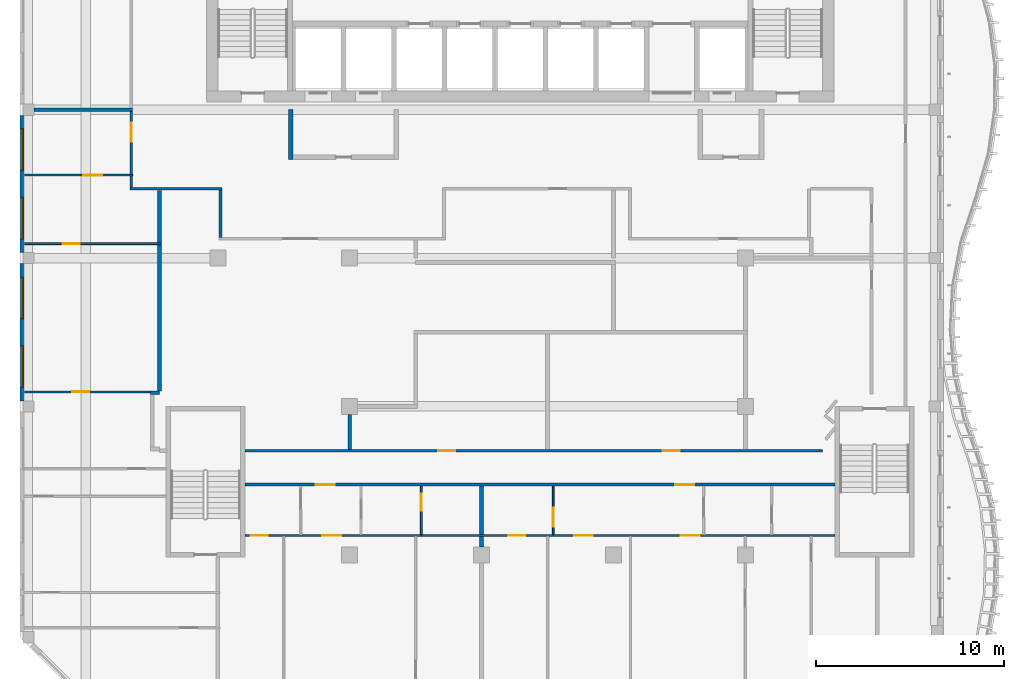
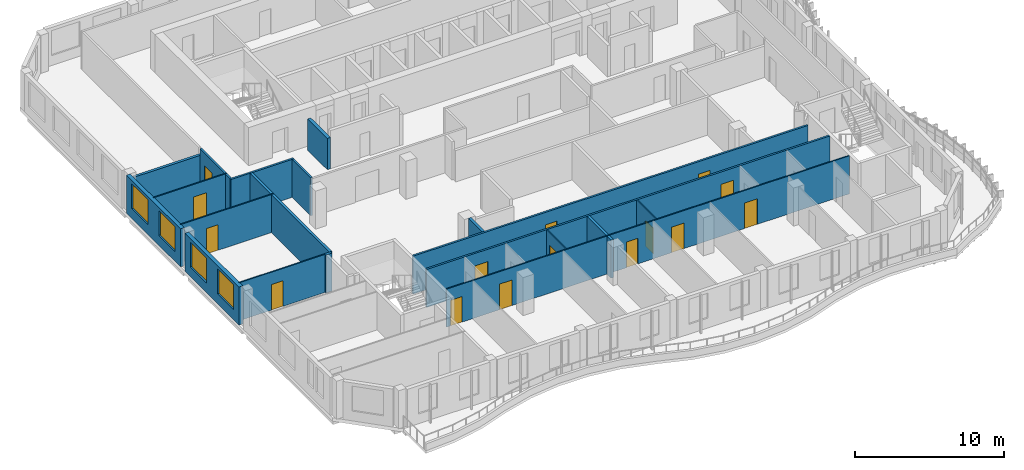
# One storey, part 3 of 17: 22 walls, 15 doors, 4 windows, 19 openings.
"""IFC4 building model written with IfcOpenShell, lengths in metres."""

from ifc_helpers import new_model, si_unit, direction, frame, frame_2d, origin, place, context, subcontext, project, spatial, rectangle, extrude, source, transform, mapped, material, layer, layer_set, type_object, element, fill, save


model = new_model("IFC4")

# Units and contexts
model_context = context("Model", 3, precision=1e-05, world=origin(), true_north=direction((0.0, 1.0)))
body_context = subcontext(model_context, "Body", "Model", "MODEL_VIEW")
ifc_project = project(units=[si_unit("LENGTHUNIT", "METRE"), si_unit("AREAUNIT", "SQUARE_METRE"), si_unit("VOLUMEUNIT", "CUBIC_METRE"), si_unit("PLANEANGLEUNIT", "RADIAN"), si_unit("MASSUNIT", "GRAM", prefix="KILO")], contexts=[model_context])

# Site, building, storey
site_placement = place(None, origin())
site = spatial("IfcSite", under=ifc_project, at=site_placement, CompositionType="ELEMENT")
building_placement = place(site_placement, origin())
building = spatial("IfcBuilding", under=site, at=building_placement, Name="Kilnfold Tower and Market Hall", CompositionType="ELEMENT")
storey_placement = place(building_placement, frame((0.0, 0.0, 301.800048828125)))
storey = spatial("IfcBuildingStorey", under=building, at=storey_placement, Name="L75", CompositionType="ELEMENT", Elevation=301.800048828125)

# Walls
ifc_material_1 = material(Name="Gypsum board on steel studs", Category="steel")
ifc_layer_1 = layer(ifc_material_1, 0.14990234375)
ifc_layer_set_1 = layer_set([ifc_layer_1], Name="Gypsum board on steel studs")
wall_type_1 = type_object("IfcWallType", Name="WALL CORRIDOR 150", PredefinedType="PARTITIONING", material=ifc_layer_set_1)
wall_1_placement = place(storey_placement, frame((-19.675048828125, 3.800048828125, 0.0), z_axis=(0.0, 0.0, 1.0), x_axis=(1.0, 0.0, 0.0)))
element("IfcWall", 1, at=wall_1_placement, inside=storey, type_object=wall_type_1, Name="Partition LY45.1", PredefinedType="PARTITIONING", context=body_context, shape_type="SweptSolid", body=[
    extrude(rectangle(XDim=4.89013671875, YDim=0.14990234375, at=frame_2d((2.445068359375, 0.0))), origin(), (0.0, 0.0, 1.0), 3.119873046875),
])
wall_2_placement = place(storey_placement, frame((-19.60009765625, 3.875, 0.0), z_axis=(0.0, 0.0, 1.0), x_axis=(0.0, 1.0, 0.0)))
element("IfcWall", 2, at=wall_2_placement, inside=storey, type_object=wall_type_1, Name="Partition LY45.2", PredefinedType="PARTITIONING", context=body_context, shape_type="SweptSolid", body=[
    extrude(rectangle(XDim=0.615966796875, YDim=0.14990234375, at=frame_2d((0.30810546875, 0.0))), origin(), (0.0, 0.0, 1.0), 3.119873046875),
])

# Wall, opening, door
wall_3_placement = place(storey_placement, frame((-19.60009765625, 4.571044921875, 0.0), z_axis=(0.0, 0.0, 1.0), x_axis=(0.0, 1.0, 0.0)))
wall_3 = element("IfcWall", 3, at=wall_3_placement, inside=storey, type_object=wall_type_1, Name="Partition LY45.3", PredefinedType="PARTITIONING", context=body_context, shape_type="SweptSolid", body=[
    extrude(rectangle(XDim=3.3388671875, YDim=0.14990234375, at=frame_2d((1.66943359375, 0.0))), origin(), (0.0, 0.0, 1.0), 3.119873046875),
])
opening_1_placement = place(wall_3_placement, frame((1.73095703125, 0.0, 0.0)))
opening_1 = element("IfcOpeningElement", 4, at=opening_1_placement, cuts=wall_3, Name="Opening D1", PredefinedType="OPENING", context=body_context, shape_type="SweptSolid", body=[
    extrude(rectangle(XDim=1.0, YDim=2.10009765625, at=frame_2d((0.5, 1.050048828125))), frame((0.0, 0.0849609375, 0.0), z_axis=(0.0, -1.0, 0.0), x_axis=(1.0, 0.0, 0.0)), (0.0, 0.0, 1.0), 0.169921875),
])
ifc_material_2 = material(Name="Timber veneer door leaf in steel frame", Category="steel")
door_type_1 = type_object("IfcDoorType", Name="DOOR ENTRY 1000 X2100", OperationType="NOTDEFINED", PredefinedType="DOOR", material=ifc_material_2)
door_1_placement = place(opening_1_placement, origin())
door_1 = element("IfcDoor", 5, at=door_1_placement, inside=storey, type_object=door_type_1, Name="Door D1", OperationType="SINGLE_SWING_LEFT", OverallHeight=2.10009765625, OverallWidth=1.0, PredefinedType="DOOR", context=body_context, shape_type="SweptSolid", body=[
    extrude(rectangle(XDim=1.0, YDim=2.10009765625, at=frame_2d((0.5, 1.050048828125))), frame((0.0, 0.02490234375, 0.0), z_axis=(0.0, -1.0, 0.0), x_axis=(1.0, 0.0, 0.0)), (0.0, 0.0, 1.0), 0.050048828125),
])
fill(opening_1, door_1)

# Wall, openings, doors
wall_4_placement = place(storey_placement, frame((-13.550048828125, -11.89990234375, 0.0), z_axis=(0.0, 0.0, 1.0), x_axis=(1.0, 0.0, 0.0)))
wall_4 = element("IfcWall", 6, at=wall_4_placement, inside=storey, type_object=wall_type_1, Name="Partition LY45.4", PredefinedType="PARTITIONING", context=body_context, shape_type="SweptSolid", body=[
    extrude(rectangle(XDim=31.300048828125, YDim=0.14990234375, at=frame_2d((15.64990234375, 0.0))), origin(), (0.0, 0.0, 1.0), 3.119873046875),
])
opening_2_placement = place(wall_4_placement, frame((3.7470703125, 0.0, 0.0)))
opening_2 = element("IfcOpeningElement", 7, at=opening_2_placement, cuts=wall_4, Name="Opening D1", PredefinedType="OPENING", context=body_context, shape_type="SweptSolid", body=[
    extrude(rectangle(XDim=1.0, YDim=2.10009765625, at=frame_2d((0.5, 1.050048828125))), frame((0.0, 0.0849609375, 0.0), z_axis=(0.0, -1.0, 0.0), x_axis=(1.0, 0.0, 0.0)), (0.0, 0.0, 1.0), 0.169921875),
])
opening_3_placement = place(wall_4_placement, frame((22.8349609375, 0.0, 0.0)))
opening_3 = element("IfcOpeningElement", 8, at=opening_3_placement, cuts=wall_4, Name="Opening D1", PredefinedType="OPENING", context=body_context, shape_type="SweptSolid", body=[
    extrude(rectangle(XDim=1.0, YDim=2.10009765625, at=frame_2d((0.5, 1.050048828125))), frame((0.0, 0.0849609375, 0.0), z_axis=(0.0, -1.0, 0.0), x_axis=(1.0, 0.0, 0.0)), (0.0, 0.0, 1.0), 0.169921875),
])
door_2_placement = place(opening_2_placement, origin())
door_2 = element("IfcDoor", 9, at=door_2_placement, inside=storey, type_object=door_type_1, Name="Door D1", OperationType="SINGLE_SWING_LEFT", OverallHeight=2.10009765625, OverallWidth=1.0, PredefinedType="DOOR", context=body_context, shape_type="SweptSolid", body=[
    extrude(rectangle(XDim=1.0, YDim=2.10009765625, at=frame_2d((0.5, 1.050048828125))), frame((0.0, 0.02490234375, 0.0), z_axis=(0.0, -1.0, 0.0), x_axis=(1.0, 0.0, 0.0)), (0.0, 0.0, 1.0), 0.050048828125),
])
fill(opening_2, door_2)
door_3_placement = place(opening_3_placement, origin())
door_3 = element("IfcDoor", 10, at=door_3_placement, inside=storey, type_object=door_type_1, Name="Door D1", OperationType="SINGLE_SWING_LEFT", OverallHeight=2.10009765625, OverallWidth=1.0, PredefinedType="DOOR", context=body_context, shape_type="SweptSolid", body=[
    extrude(rectangle(XDim=1.0, YDim=2.10009765625, at=frame_2d((0.5, 1.050048828125))), frame((0.0, 0.02490234375, 0.0), z_axis=(0.0, -1.0, 0.0), x_axis=(1.0, 0.0, 0.0)), (0.0, 0.0, 1.0), 0.050048828125),
])
fill(opening_3, door_3)

# Wall
wall_5_placement = place(storey_placement, frame((-14.860107421875, 3.72509765625, 0.0), z_axis=(0.0, 0.0, 1.0), x_axis=(0.0, -1.0, 0.0)))
element("IfcWall", 11, at=wall_5_placement, inside=storey, type_object=wall_type_1, Name="Partition LY45.10", PredefinedType="PARTITIONING", context=body_context, shape_type="SweptSolid", body=[
    extrude(rectangle(XDim=2.5, YDim=0.14990234375, at=frame_2d((1.25, 0.0))), origin(), (0.0, 0.0, 1.0), 3.119873046875),
])

# Wall, openings, doors
wall_6_placement = place(storey_placement, frame((-13.550048828125, -10.10009765625, 0.0), z_axis=(0.0, 0.0, 1.0), x_axis=(1.0, 0.0, 0.0)))
wall_6 = element("IfcWall", 12, at=wall_6_placement, inside=storey, type_object=wall_type_1, Name="Partition LY45.11", PredefinedType="PARTITIONING", context=body_context, shape_type="SweptSolid", body=[
    extrude(rectangle(XDim=30.650146484375, YDim=0.14990234375, at=frame_2d((15.3251953125, 0.0))), origin(), (0.0, 0.0, 1.0), 3.119873046875),
])
opening_4_placement = place(wall_6_placement, frame((10.25, 0.0, 0.0)))
opening_4 = element("IfcOpeningElement", 13, at=opening_4_placement, cuts=wall_6, Name="Opening D2", PredefinedType="OPENING", context=body_context, shape_type="SweptSolid", body=[
    extrude(rectangle(XDim=0.89990234375, YDim=2.10009765625, at=frame_2d((0.449951171875, 1.050048828125))), frame((0.0, 0.0849609375, 0.0), z_axis=(0.0, -1.0, 0.0), x_axis=(1.0, 0.0, 0.0)), (0.0, 0.0, 1.0), 0.169921875),
])
opening_5_placement = place(wall_6_placement, frame((22.153076171875, 0.0, 0.0)))
opening_5 = element("IfcOpeningElement", 14, at=opening_5_placement, cuts=wall_6, Name="Opening D2", PredefinedType="OPENING", context=body_context, shape_type="SweptSolid", body=[
    extrude(rectangle(XDim=0.89990234375, YDim=2.10009765625, at=frame_2d((0.449951171875, 1.050048828125))), frame((0.0, 0.0849609375, 0.0), z_axis=(0.0, -1.0, 0.0), x_axis=(1.0, 0.0, 0.0)), (0.0, 0.0, 1.0), 0.169921875),
])
ifc_material_3 = material(Name="Timber veneer door leaf in steel frame", Category="steel")
door_type_2 = type_object("IfcDoorType", Name="DOOR ROOM 900 X2100", OperationType="NOTDEFINED", PredefinedType="DOOR", material=ifc_material_3)
door_4_placement = place(opening_4_placement, origin())
door_4 = element("IfcDoor", 15, at=door_4_placement, inside=storey, type_object=door_type_2, Name="Door D2", OperationType="SINGLE_SWING_RIGHT", OverallHeight=2.10009765625, OverallWidth=0.89990234375, PredefinedType="DOOR", context=body_context, shape_type="SweptSolid", body=[
    extrude(rectangle(XDim=0.89990234375, YDim=2.10009765625, at=frame_2d((0.449951171875, 1.050048828125))), frame((0.0, 0.02490234375, 0.0), z_axis=(0.0, -1.0, 0.0), x_axis=(1.0, 0.0, 0.0)), (0.0, 0.0, 1.0), 0.050048828125),
])
fill(opening_4, door_4)
door_5_placement = place(opening_5_placement, origin())
door_5 = element("IfcDoor", 16, at=door_5_placement, inside=storey, type_object=door_type_2, Name="Door D2", OperationType="SINGLE_SWING_RIGHT", OverallHeight=2.10009765625, OverallWidth=0.89990234375, PredefinedType="DOOR", context=body_context, shape_type="SweptSolid", body=[
    extrude(rectangle(XDim=0.89990234375, YDim=2.10009765625, at=frame_2d((0.449951171875, 1.050048828125))), frame((0.0, 0.02490234375, 0.0), z_axis=(0.0, -1.0, 0.0), x_axis=(1.0, 0.0, 0.0)), (0.0, 0.0, 1.0), 0.050048828125),
])
fill(opening_5, door_5)

# Wall, opening, door
ifc_material_4 = material(Name="Gypsum board on steel studs", Category="steel")
ifc_layer_2 = layer(ifc_material_4, 0.10009765625)
ifc_layer_set_2 = layer_set([ifc_layer_2], Name="Gypsum board on steel studs")
wall_type_2 = type_object("IfcWallType", Name="WALL PARTITION 100", PredefinedType="PARTITIONING", material=ifc_layer_set_2)
wall_7_placement = place(storey_placement, frame((-18.58203125, -6.98095703125, 0.0), z_axis=(0.0, 0.0, 1.0), x_axis=(-1.0, 0.0, 0.0)))
wall_7 = element("IfcWall", 17, at=wall_7_placement, inside=storey, type_object=wall_type_2, Name="Partition LY45.30", PredefinedType="PARTITIONING", context=body_context, shape_type="SweptSolid", body=[
    extrude(rectangle(XDim=6.66796875, YDim=0.10009765625, at=frame_2d((3.333984375, 0.0))), origin(), (0.0, 0.0, 1.0), 3.119873046875),
])
opening_6_placement = place(wall_7_placement, frame((3.2490234375, 0.0, 0.0)))
opening_6 = element("IfcOpeningElement", 18, at=opening_6_placement, cuts=wall_7, Name="Opening D2", PredefinedType="OPENING", context=body_context, shape_type="SweptSolid", body=[
    extrude(rectangle(XDim=0.89990234375, YDim=2.10009765625, at=frame_2d((0.449951171875, 1.050048828125))), frame((0.0, 0.06005859375, 0.0), z_axis=(0.0, -1.0, 0.0), x_axis=(1.0, 0.0, 0.0)), (0.0, 0.0, 1.0), 0.1201171875),
])
door_6_placement = place(opening_6_placement, origin())
door_6 = element("IfcDoor", 19, at=door_6_placement, inside=storey, type_object=door_type_2, Name="Door D2", OperationType="SINGLE_SWING_RIGHT", OverallHeight=2.10009765625, OverallWidth=0.89990234375, PredefinedType="DOOR", context=body_context, shape_type="SweptSolid", body=[
    extrude(rectangle(XDim=0.89990234375, YDim=2.10009765625, at=frame_2d((0.449951171875, 1.050048828125))), frame((0.0, 0.02490234375, 0.0), z_axis=(0.0, -1.0, 0.0), x_axis=(1.0, 0.0, 0.0)), (0.0, 0.0, 1.0), 0.050048828125),
])
fill(opening_6, door_6)

wall_8_placement = place(storey_placement, frame((-18.0, 0.89404296875, 0.0), z_axis=(0.0, 0.0, 1.0), x_axis=(-1.0, 0.0, 0.0)))
wall_8 = element("IfcWall", 20, at=wall_8_placement, inside=storey, type_object=wall_type_2, Name="Partition LY45.35", PredefinedType="PARTITIONING", context=body_context, shape_type="SweptSolid", body=[
    extrude(rectangle(XDim=7.25, YDim=0.10009765625, at=frame_2d((3.625, 0.0))), origin(), (0.0, 0.0, 1.0), 3.119873046875),
])
opening_7_placement = place(wall_8_placement, frame((4.3349609375, 0.0, 0.0)))
opening_7 = element("IfcOpeningElement", 21, at=opening_7_placement, cuts=wall_8, Name="Opening D2", PredefinedType="OPENING", context=body_context, shape_type="SweptSolid", body=[
    extrude(rectangle(XDim=0.89990234375, YDim=2.10009765625, at=frame_2d((0.449951171875, 1.050048828125))), frame((0.0, 0.06005859375, 0.0), z_axis=(0.0, -1.0, 0.0), x_axis=(1.0, 0.0, 0.0)), (0.0, 0.0, 1.0), 0.1201171875),
])
door_7_placement = place(opening_7_placement, origin())
door_7 = element("IfcDoor", 22, at=door_7_placement, inside=storey, type_object=door_type_2, Name="Door D2", OperationType="SINGLE_SWING_LEFT", OverallHeight=2.10009765625, OverallWidth=0.89990234375, PredefinedType="DOOR", context=body_context, shape_type="SweptSolid", body=[
    extrude(rectangle(XDim=0.89990234375, YDim=2.10009765625, at=frame_2d((0.449951171875, 1.050048828125))), frame((0.0, 0.02490234375, 0.0), z_axis=(0.0, -1.0, 0.0), x_axis=(1.0, 0.0, 0.0)), (0.0, 0.0, 1.0), 0.050048828125),
])
fill(opening_7, door_7)

wall_9_placement = place(storey_placement, frame((-19.527099609375, 4.531005859375, 0.0), z_axis=(0.0, 0.0, 1.0), x_axis=(-1.0, 0.0, 0.0)))
wall_9 = element("IfcWall", 23, at=wall_9_placement, inside=storey, type_object=wall_type_2, Name="Partition LY45.37", PredefinedType="PARTITIONING", context=body_context, shape_type="SweptSolid", body=[
    extrude(rectangle(XDim=5.722900390625, YDim=0.10009765625, at=frame_2d((2.861328125, 0.0))), origin(), (0.0, 0.0, 1.0), 3.119873046875),
])
opening_8_placement = place(wall_9_placement, frame((1.60693359375, 0.0, 0.0)))
opening_8 = element("IfcOpeningElement", 24, at=opening_8_placement, cuts=wall_9, Name="Opening D1", PredefinedType="OPENING", context=body_context, shape_type="SweptSolid", body=[
    extrude(rectangle(XDim=1.0, YDim=2.10009765625, at=frame_2d((0.5, 1.050048828125))), frame((0.0, 0.06005859375, 0.0), z_axis=(0.0, -1.0, 0.0), x_axis=(1.0, 0.0, 0.0)), (0.0, 0.0, 1.0), 0.1201171875),
])
door_8_placement = place(opening_8_placement, origin())
door_8 = element("IfcDoor", 25, at=door_8_placement, inside=storey, type_object=door_type_1, Name="Door D1", OperationType="SINGLE_SWING_RIGHT", OverallHeight=2.10009765625, OverallWidth=1.0, PredefinedType="DOOR", context=body_context, shape_type="SweptSolid", body=[
    extrude(rectangle(XDim=1.0, YDim=2.10009765625, at=frame_2d((0.5, 1.050048828125))), frame((0.0, 0.02490234375, 0.0), z_axis=(0.0, -1.0, 0.0), x_axis=(1.0, 0.0, 0.0)), (0.0, 0.0, 1.0), 0.050048828125),
])
fill(opening_8, door_8)

# Wall, openings, doors
wall_10_placement = place(storey_placement, frame((-13.550048828125, -14.60009765625, 0.0), z_axis=(0.0, 0.0, 1.0), x_axis=(1.0, 0.0, 0.0)))
wall_10 = element("IfcWall", 26, at=wall_10_placement, inside=storey, type_object=wall_type_2, Name="Partition LY45.41", PredefinedType="PARTITIONING", context=body_context, shape_type="SweptSolid", body=[
    extrude(rectangle(XDim=31.300048828125, YDim=0.10009765625, at=frame_2d((15.64990234375, 0.0))), origin(), (0.0, 0.0, 1.0), 3.119873046875),
])
opening_9_placement = place(wall_10_placement, frame((0.30908203125, 0.0, 0.0)))
opening_9 = element("IfcOpeningElement", 27, at=opening_9_placement, cuts=wall_10, Name="Opening D2", PredefinedType="OPENING", context=body_context, shape_type="SweptSolid", body=[
    extrude(rectangle(XDim=0.89990234375, YDim=2.10009765625, at=frame_2d((0.449951171875, 1.050048828125))), frame((0.0, 0.06005859375, 0.0), z_axis=(0.0, -1.0, 0.0), x_axis=(1.0, 0.0, 0.0)), (0.0, 0.0, 1.0), 0.1201171875),
])
opening_10_placement = place(wall_10_placement, frame((4.10302734375, 0.0, 0.0)))
opening_10 = element("IfcOpeningElement", 28, at=opening_10_placement, cuts=wall_10, Name="Opening D1", PredefinedType="OPENING", context=body_context, shape_type="SweptSolid", body=[
    extrude(rectangle(XDim=1.0, YDim=2.10009765625, at=frame_2d((0.5, 1.050048828125))), frame((0.0, 0.06005859375, 0.0), z_axis=(0.0, -1.0, 0.0), x_axis=(1.0, 0.0, 0.0)), (0.0, 0.0, 1.0), 0.1201171875),
])
opening_11_placement = place(wall_10_placement, frame((13.955078125, 0.0, 0.0)))
opening_11 = element("IfcOpeningElement", 29, at=opening_11_placement, cuts=wall_10, Name="Opening D2", PredefinedType="OPENING", context=body_context, shape_type="SweptSolid", body=[
    extrude(rectangle(XDim=0.89990234375, YDim=2.10009765625, at=frame_2d((0.449951171875, 1.050048828125))), frame((0.0, 0.06005859375, 0.0), z_axis=(0.0, -1.0, 0.0), x_axis=(1.0, 0.0, 0.0)), (0.0, 0.0, 1.0), 0.1201171875),
])
opening_12_placement = place(wall_10_placement, frame((17.452880859375, 0.0, 0.0)))
opening_12 = element("IfcOpeningElement", 30, at=opening_12_placement, cuts=wall_10, Name="Opening D1", PredefinedType="OPENING", context=body_context, shape_type="SweptSolid", body=[
    extrude(rectangle(XDim=1.0, YDim=2.10009765625, at=frame_2d((0.5, 1.050048828125))), frame((0.0, 0.06005859375, 0.0), z_axis=(0.0, -1.0, 0.0), x_axis=(1.0, 0.0, 0.0)), (0.0, 0.0, 1.0), 0.1201171875),
])
opening_13_placement = place(wall_10_placement, frame((23.1298828125, 0.0, 0.0)))
opening_13 = element("IfcOpeningElement", 31, at=opening_13_placement, cuts=wall_10, Name="Opening D1", PredefinedType="OPENING", context=body_context, shape_type="SweptSolid", body=[
    extrude(rectangle(XDim=1.0, YDim=2.10009765625, at=frame_2d((0.5, 1.050048828125))), frame((0.0, 0.06005859375, 0.0), z_axis=(0.0, -1.0, 0.0), x_axis=(1.0, 0.0, 0.0)), (0.0, 0.0, 1.0), 0.1201171875),
])
door_9_placement = place(opening_10_placement, origin())
door_9 = element("IfcDoor", 32, at=door_9_placement, inside=storey, type_object=door_type_1, Name="Door D1", OperationType="SINGLE_SWING_RIGHT", OverallHeight=2.10009765625, OverallWidth=1.0, PredefinedType="DOOR", context=body_context, shape_type="SweptSolid", body=[
    extrude(rectangle(XDim=1.0, YDim=2.10009765625, at=frame_2d((0.5, 1.050048828125))), frame((0.0, 0.02490234375, 0.0), z_axis=(0.0, -1.0, 0.0), x_axis=(1.0, 0.0, 0.0)), (0.0, 0.0, 1.0), 0.050048828125),
])
fill(opening_10, door_9)
door_10_placement = place(opening_12_placement, origin())
door_10 = element("IfcDoor", 33, at=door_10_placement, inside=storey, type_object=door_type_1, Name="Door D1", OperationType="SINGLE_SWING_RIGHT", OverallHeight=2.10009765625, OverallWidth=1.0, PredefinedType="DOOR", context=body_context, shape_type="SweptSolid", body=[
    extrude(rectangle(XDim=1.0, YDim=2.10009765625, at=frame_2d((0.5, 1.050048828125))), frame((0.0, 0.02490234375, 0.0), z_axis=(0.0, -1.0, 0.0), x_axis=(1.0, 0.0, 0.0)), (0.0, 0.0, 1.0), 0.050048828125),
])
fill(opening_12, door_10)
door_11_placement = place(opening_13_placement, origin())
door_11 = element("IfcDoor", 34, at=door_11_placement, inside=storey, type_object=door_type_1, Name="Door D1", OperationType="SINGLE_SWING_LEFT", OverallHeight=2.10009765625, OverallWidth=1.0, PredefinedType="DOOR", context=body_context, shape_type="SweptSolid", body=[
    extrude(rectangle(XDim=1.0, YDim=2.10009765625, at=frame_2d((0.5, 1.050048828125))), frame((0.0, 0.02490234375, 0.0), z_axis=(0.0, -1.0, 0.0), x_axis=(1.0, 0.0, 0.0)), (0.0, 0.0, 1.0), 0.050048828125),
])
fill(opening_13, door_11)
door_12_placement = place(opening_9_placement, origin())
door_12 = element("IfcDoor", 35, at=door_12_placement, inside=storey, type_object=door_type_2, Name="Door D2", OperationType="SINGLE_SWING_RIGHT", OverallHeight=2.10009765625, OverallWidth=0.89990234375, PredefinedType="DOOR", context=body_context, shape_type="SweptSolid", body=[
    extrude(rectangle(XDim=0.89990234375, YDim=2.10009765625, at=frame_2d((0.449951171875, 1.050048828125))), frame((0.0, 0.02490234375, 0.0), z_axis=(0.0, -1.0, 0.0), x_axis=(1.0, 0.0, 0.0)), (0.0, 0.0, 1.0), 0.050048828125),
])
fill(opening_9, door_12)
door_13_placement = place(opening_11_placement, origin())
door_13 = element("IfcDoor", 36, at=door_13_placement, inside=storey, type_object=door_type_2, Name="Door D2", OperationType="SINGLE_SWING_LEFT", OverallHeight=2.10009765625, OverallWidth=0.89990234375, PredefinedType="DOOR", context=body_context, shape_type="SweptSolid", body=[
    extrude(rectangle(XDim=0.89990234375, YDim=2.10009765625, at=frame_2d((0.449951171875, 1.050048828125))), frame((0.0, 0.02490234375, 0.0), z_axis=(0.0, -1.0, 0.0), x_axis=(1.0, 0.0, 0.0)), (0.0, 0.0, 1.0), 0.050048828125),
])
fill(opening_11, door_13)

# Wall, opening, door
wall_11_placement = place(storey_placement, frame((-4.199951171875, -14.550048828125, 0.0), z_axis=(0.0, 0.0, 1.0), x_axis=(0.0, 1.0, 0.0)))
wall_11 = element("IfcWall", 37, at=wall_11_placement, inside=storey, type_object=wall_type_2, Name="Partition LY45.43", PredefinedType="PARTITIONING", context=body_context, shape_type="SweptSolid", body=[
    extrude(rectangle(XDim=2.572998046875, YDim=0.10009765625, at=frame_2d((1.28662109375, 0.0))), origin(), (0.0, 0.0, 1.0), 3.119873046875),
])
opening_14_placement = place(wall_11_placement, frame((1.260986328125, 0.0, 0.0)))
opening_14 = element("IfcOpeningElement", 38, at=opening_14_placement, cuts=wall_11, Name="Opening D2", PredefinedType="OPENING", context=body_context, shape_type="SweptSolid", body=[
    extrude(rectangle(XDim=0.89990234375, YDim=2.10009765625, at=frame_2d((0.449951171875, 1.050048828125))), frame((0.0, 0.06005859375, 0.0), z_axis=(0.0, -1.0, 0.0), x_axis=(1.0, 0.0, 0.0)), (0.0, 0.0, 1.0), 0.1201171875),
])
door_14_placement = place(opening_14_placement, origin())
door_14 = element("IfcDoor", 39, at=door_14_placement, inside=storey, type_object=door_type_2, Name="Door D2", OperationType="SINGLE_SWING_LEFT", OverallHeight=2.10009765625, OverallWidth=0.89990234375, PredefinedType="DOOR", context=body_context, shape_type="SweptSolid", body=[
    extrude(rectangle(XDim=0.89990234375, YDim=2.10009765625, at=frame_2d((0.449951171875, 1.050048828125))), frame((0.0, 0.02490234375, 0.0), z_axis=(0.0, -1.0, 0.0), x_axis=(1.0, 0.0, 0.0)), (0.0, 0.0, 1.0), 0.050048828125),
])
fill(opening_14, door_14)

wall_12_placement = place(storey_placement, frame((2.800048828125, -14.550048828125, 0.0), z_axis=(0.0, 0.0, 1.0), x_axis=(0.0, 1.0, 0.0)))
wall_12 = element("IfcWall", 40, at=wall_12_placement, inside=storey, type_object=wall_type_2, Name="Partition LY45.49", PredefinedType="PARTITIONING", context=body_context, shape_type="SweptSolid", body=[
    extrude(rectangle(XDim=2.572998046875, YDim=0.10009765625, at=frame_2d((1.28662109375, 0.0))), origin(), (0.0, 0.0, 1.0), 3.119873046875),
])
opening_15_placement = place(wall_12_placement, frame((0.4130859375, 0.0, 0.0)))
opening_15 = element("IfcOpeningElement", 41, at=opening_15_placement, cuts=wall_12, Name="Opening D1", PredefinedType="OPENING", context=body_context, shape_type="SweptSolid", body=[
    extrude(rectangle(XDim=1.0, YDim=2.10009765625, at=frame_2d((0.5, 1.050048828125))), frame((0.0, 0.06005859375, 0.0), z_axis=(0.0, -1.0, 0.0), x_axis=(1.0, 0.0, 0.0)), (0.0, 0.0, 1.0), 0.1201171875),
])
door_15_placement = place(opening_15_placement, origin())
door_15 = element("IfcDoor", 42, at=door_15_placement, inside=storey, type_object=door_type_1, Name="Door D1", OperationType="SINGLE_SWING_RIGHT", OverallHeight=2.10009765625, OverallWidth=1.0, PredefinedType="DOOR", context=body_context, shape_type="SweptSolid", body=[
    extrude(rectangle(XDim=1.0, YDim=2.10009765625, at=frame_2d((0.5, 1.050048828125))), frame((0.0, 0.02490234375, 0.0), z_axis=(0.0, -1.0, 0.0), x_axis=(1.0, 0.0, 0.0)), (0.0, 0.0, 1.0), 0.050048828125),
])
fill(opening_15, door_15)

# Walls
ifc_material_5 = material(Name="Gypsum board on steel studs", Category="steel")
ifc_layer_3 = layer(ifc_material_5, 0.199951171875)
ifc_layer_set_3 = layer_set([ifc_layer_3], Name="Gypsum board on steel studs")
wall_type_3 = type_object("IfcWallType", Name="WALL PARTY 200", PredefinedType="PARTITIONING", material=ifc_layer_set_3)
wall_13_placement = place(storey_placement, frame((-18.58203125, -7.029052734375, 0.0), z_axis=(0.0, 0.0, 1.0), x_axis=(1.0, 0.0, 0.0)))
element("IfcWall", 43, at=wall_13_placement, inside=storey, type_object=wall_type_3, Name="Partition LY45.32", PredefinedType="PARTITIONING", context=body_context, shape_type="SweptSolid", body=[
    extrude(rectangle(XDim=0.48193359375, YDim=0.199951171875, at=frame_2d((0.240966796875, 0.0))), origin(), (0.0, 0.0, 1.0), 3.119873046875),
])
wall_14_placement = place(storey_placement, frame((-18.10009765625, -6.930908203125, 0.0), z_axis=(0.0, 0.0, 1.0), x_axis=(0.0, 1.0, 0.0)))
element("IfcWall", 44, at=wall_14_placement, inside=storey, type_object=wall_type_3, Name="Partition LY45.36", PredefinedType="PARTITIONING", context=body_context, shape_type="SweptSolid", body=[
    extrude(rectangle(XDim=7.77490234375, YDim=0.199951171875, at=frame_2d((3.887451171875, 0.0))), origin(), (0.0, 0.0, 1.0), 3.119873046875),
])
wall_15_placement = place(storey_placement, frame((-18.10009765625, 0.944091796875, 0.0), z_axis=(0.0, 0.0, 1.0), x_axis=(0.0, 1.0, 0.0)))
element("IfcWall", 45, at=wall_15_placement, inside=storey, type_object=wall_type_3, Name="Partition LY45.38", PredefinedType="PARTITIONING", context=body_context, shape_type="SweptSolid", body=[
    extrude(rectangle(XDim=2.77880859375, YDim=0.199951171875, at=frame_2d((1.389404296875, 0.0))), origin(), (0.0, 0.0, 1.0), 3.119873046875),
])
wall_16_placement = place(storey_placement, frame((-19.527099609375, 8.0, 0.0), z_axis=(0.0, 0.0, 1.0), x_axis=(-1.0, 0.0, 0.0)))
element("IfcWall", 46, at=wall_16_placement, inside=storey, type_object=wall_type_3, Name="Partition LY45.39", PredefinedType="PARTITIONING", context=body_context, shape_type="SweptSolid", body=[
    extrude(rectangle(XDim=5.222900390625, YDim=0.199951171875, at=frame_2d((2.611328125, 0.0))), origin(), (0.0, 0.0, 1.0), 2.570068359375),
])
wall_17_placement = place(storey_placement, frame((-1.0, -14.550048828125, 0.0), z_axis=(0.0, 0.0, 1.0), x_axis=(0.0, 1.0, 0.0)))
element("IfcWall", 47, at=wall_17_placement, inside=storey, type_object=wall_type_3, Name="Partition LY45.44", PredefinedType="PARTITIONING", context=body_context, shape_type="SweptSolid", body=[
    extrude(rectangle(XDim=2.572998046875, YDim=0.199951171875, at=frame_2d((1.28662109375, 0.0))), origin(), (0.0, 0.0, 1.0), 3.119873046875),
])
wall_18_placement = place(storey_placement, frame((-1.0, -15.199951171875, 0.0), z_axis=(0.0, 0.0, 1.0), x_axis=(0.0, 1.0, 0.0)))
element("IfcWall", 48, at=wall_18_placement, inside=storey, type_object=wall_type_3, Name="Partition LY45.47", PredefinedType="PARTITIONING", context=body_context, shape_type="SweptSolid", body=[
    extrude(rectangle(XDim=0.5478515625, YDim=0.199951171875, at=frame_2d((0.27392578125, 0.0))), origin(), (0.0, 0.0, 1.0), 3.119873046875),
])
wall_19_placement = place(storey_placement, frame((-8.0, -10.02294921875, 0.0), z_axis=(0.0, 0.0, 1.0), x_axis=(0.0, 1.0, 0.0)))
element("IfcWall", 49, at=wall_19_placement, inside=storey, type_object=wall_type_3, Name="Partition LY45.65", PredefinedType="PARTITIONING", context=body_context, shape_type="SweptSolid", body=[
    extrude(rectangle(XDim=1.847900390625, YDim=0.199951171875, at=frame_2d((0.923828125, 0.0))), origin(), (0.0, 0.0, 1.0), 3.119873046875),
])

# Wall, openings, windows
ifc_material_6 = material(Name="Precast concrete C50/60", Category="concrete")
ifc_layer_4 = layer(ifc_material_6, 0.300048828125)
ifc_layer_set_4 = layer_set([ifc_layer_4], Name="Precast concrete C50/60")
wall_type_4 = type_object("IfcWallType", Name="PRECAST WALL 300", PredefinedType="SOLIDWALL", material=ifc_layer_set_4)
shared_shape_1 = source(origin(), body_context, "Body", "SweptSolid", [
    extrude(rectangle(XDim=7.27490234375, YDim=0.300048828125, at=frame_2d((3.637451171875, 0.0))), origin(), (0.0, 0.0, 1.0), 3.119873046875),
])
wall_20_placement = place(storey_placement, frame((-25.35009765625, 7.699951171875, 0.0), z_axis=(0.0, 0.0, 1.0), x_axis=(0.0, -1.0, 0.0)))
wall_20 = element("IfcWall", 50, at=wall_20_placement, inside=storey, type_object=wall_type_4, Name="External wall L75 W", PredefinedType="SOLIDWALL", context=body_context, shape_type="MappedRepresentation", body=[
    mapped(shared_shape_1, transform((0.0, 0.0, 0.0))),
])
opening_16_placement = place(wall_20_placement, frame((0.71875, 0.0, 0.800048828125)))
opening_16 = element("IfcOpeningElement", 51, at=opening_16_placement, cuts=wall_20, Name="Opening W3", PredefinedType="OPENING", context=body_context, shape_type="SweptSolid", body=[
    extrude(rectangle(XDim=2.199951171875, YDim=2.050048828125, at=frame_2d((1.10009765625, 1.02490234375))), frame((0.0, 0.16015625, 0.0), z_axis=(0.0, -1.0, 0.0), x_axis=(1.0, 0.0, 0.0)), (0.0, 0.0, 1.0), 0.320068359375),
])
opening_17_placement = place(wall_20_placement, frame((4.356201171875, 0.0, 0.800048828125)))
opening_17 = element("IfcOpeningElement", 52, at=opening_17_placement, cuts=wall_20, Name="Opening W3", PredefinedType="OPENING", context=body_context, shape_type="SweptSolid", body=[
    extrude(rectangle(XDim=2.199951171875, YDim=2.050048828125, at=frame_2d((1.10009765625, 1.02490234375))), frame((0.0, 0.16015625, 0.0), z_axis=(0.0, -1.0, 0.0), x_axis=(1.0, 0.0, 0.0)), (0.0, 0.0, 1.0), 0.320068359375),
])
ifc_material_7 = material(Name="Aluminium frame and double glazing", Category="aluminium")
window_type = type_object("IfcWindowType", Name="WINDOW W3 2200X2050", PartitioningType="SINGLE_PANEL", PredefinedType="WINDOW", material=ifc_material_7)
window_1_placement = place(opening_16_placement, origin())
window_1 = element("IfcWindow", 53, at=window_1_placement, inside=storey, type_object=window_type, Name="Window W3 L75 W-1", OverallHeight=2.050048828125, OverallWidth=2.199951171875, PartitioningType="SINGLE_PANEL", PredefinedType="WINDOW", context=body_context, shape_type="SweptSolid", body=[
    extrude(rectangle(XDim=2.199951171875, YDim=2.050048828125, at=frame_2d((1.10009765625, 1.02490234375))), frame((0.0, 0.030029296875, 0.0), z_axis=(0.0, -1.0, 0.0), x_axis=(1.0, 0.0, 0.0)), (0.0, 0.0, 1.0), 0.06005859375),
])
fill(opening_16, window_1)
window_2_placement = place(opening_17_placement, origin())
window_2 = element("IfcWindow", 54, at=window_2_placement, inside=storey, type_object=window_type, Name="Window W3 L75 W-2", OverallHeight=2.050048828125, OverallWidth=2.199951171875, PartitioningType="SINGLE_PANEL", PredefinedType="WINDOW", context=body_context, shape_type="SweptSolid", body=[
    extrude(rectangle(XDim=2.199951171875, YDim=2.050048828125, at=frame_2d((1.10009765625, 1.02490234375))), frame((0.0, 0.030029296875, 0.0), z_axis=(0.0, -1.0, 0.0), x_axis=(1.0, 0.0, 0.0)), (0.0, 0.0, 1.0), 0.06005859375),
])
fill(opening_17, window_2)

wall_21_placement = place(storey_placement, frame((-25.35009765625, -0.175048828125, 0.0), z_axis=(0.0, 0.0, 1.0), x_axis=(0.0, -1.0, 0.0)))
wall_21 = element("IfcWall", 55, at=wall_21_placement, inside=storey, type_object=wall_type_4, Name="External wall L75 W", PredefinedType="SOLIDWALL", context=body_context, shape_type="MappedRepresentation", body=[
    mapped(shared_shape_1, transform((0.0, 0.0, 0.0))),
])
opening_18_placement = place(wall_21_placement, frame((0.71875, 0.0, 0.800048828125)))
opening_18 = element("IfcOpeningElement", 56, at=opening_18_placement, cuts=wall_21, Name="Opening W3", PredefinedType="OPENING", context=body_context, shape_type="SweptSolid", body=[
    extrude(rectangle(XDim=2.199951171875, YDim=2.050048828125, at=frame_2d((1.10009765625, 1.02490234375))), frame((0.0, 0.16015625, 0.0), z_axis=(0.0, -1.0, 0.0), x_axis=(1.0, 0.0, 0.0)), (0.0, 0.0, 1.0), 0.320068359375),
])
opening_19_placement = place(wall_21_placement, frame((4.356201171875, 0.0, 0.800048828125)))
opening_19 = element("IfcOpeningElement", 57, at=opening_19_placement, cuts=wall_21, Name="Opening W3", PredefinedType="OPENING", context=body_context, shape_type="SweptSolid", body=[
    extrude(rectangle(XDim=2.199951171875, YDim=2.050048828125, at=frame_2d((1.10009765625, 1.02490234375))), frame((0.0, 0.16015625, 0.0), z_axis=(0.0, -1.0, 0.0), x_axis=(1.0, 0.0, 0.0)), (0.0, 0.0, 1.0), 0.320068359375),
])
window_3_placement = place(opening_18_placement, origin())
window_3 = element("IfcWindow", 58, at=window_3_placement, inside=storey, type_object=window_type, Name="Window W3 L75 W-1", OverallHeight=2.050048828125, OverallWidth=2.199951171875, PartitioningType="SINGLE_PANEL", PredefinedType="WINDOW", context=body_context, shape_type="SweptSolid", body=[
    extrude(rectangle(XDim=2.199951171875, YDim=2.050048828125, at=frame_2d((1.10009765625, 1.02490234375))), frame((0.0, 0.030029296875, 0.0), z_axis=(0.0, -1.0, 0.0), x_axis=(1.0, 0.0, 0.0)), (0.0, 0.0, 1.0), 0.06005859375),
])
fill(opening_18, window_3)
window_4_placement = place(opening_19_placement, origin())
window_4 = element("IfcWindow", 59, at=window_4_placement, inside=storey, type_object=window_type, Name="Window W3 L75 W-2", OverallHeight=2.050048828125, OverallWidth=2.199951171875, PartitioningType="SINGLE_PANEL", PredefinedType="WINDOW", context=body_context, shape_type="SweptSolid", body=[
    extrude(rectangle(XDim=2.199951171875, YDim=2.050048828125, at=frame_2d((1.10009765625, 1.02490234375))), frame((0.0, 0.030029296875, 0.0), z_axis=(0.0, -1.0, 0.0), x_axis=(1.0, 0.0, 0.0)), (0.0, 0.0, 1.0), 0.06005859375),
])
fill(opening_19, window_4)

# Wall
ifc_material_8 = material(Name="Gypsum shaft wall system")
ifc_layer_5 = layer(ifc_material_8, 0.25)
ifc_layer_set_5 = layer_set([ifc_layer_5], Name="Gypsum shaft wall system")
wall_type_5 = type_object("IfcWallType", Name="LOBBY WALL 250", PredefinedType="PARTITIONING", material=ifc_layer_set_5)
shared_shape_2 = source(origin(), body_context, "Body", "SweptSolid", [
    extrude(rectangle(XDim=2.64990234375, YDim=0.25, at=frame_2d((1.324951171875, 0.0))), origin(), (0.0, 0.0, 1.0), 2.570068359375),
])
wall_22_placement = place(storey_placement, frame((-11.135009765625, 5.35009765625, 0.0), z_axis=(0.0, 0.0, 1.0), x_axis=(0.0, 1.0, 0.0)))
element("IfcWall", 60, at=wall_22_placement, inside=storey, type_object=wall_type_5, Name="Firefighting lobby wall", PredefinedType="PARTITIONING", context=body_context, shape_type="MappedRepresentation", body=[
    mapped(shared_shape_2, transform((0.0, 0.0, 0.0))),
])

save(model, "model.ifc")
